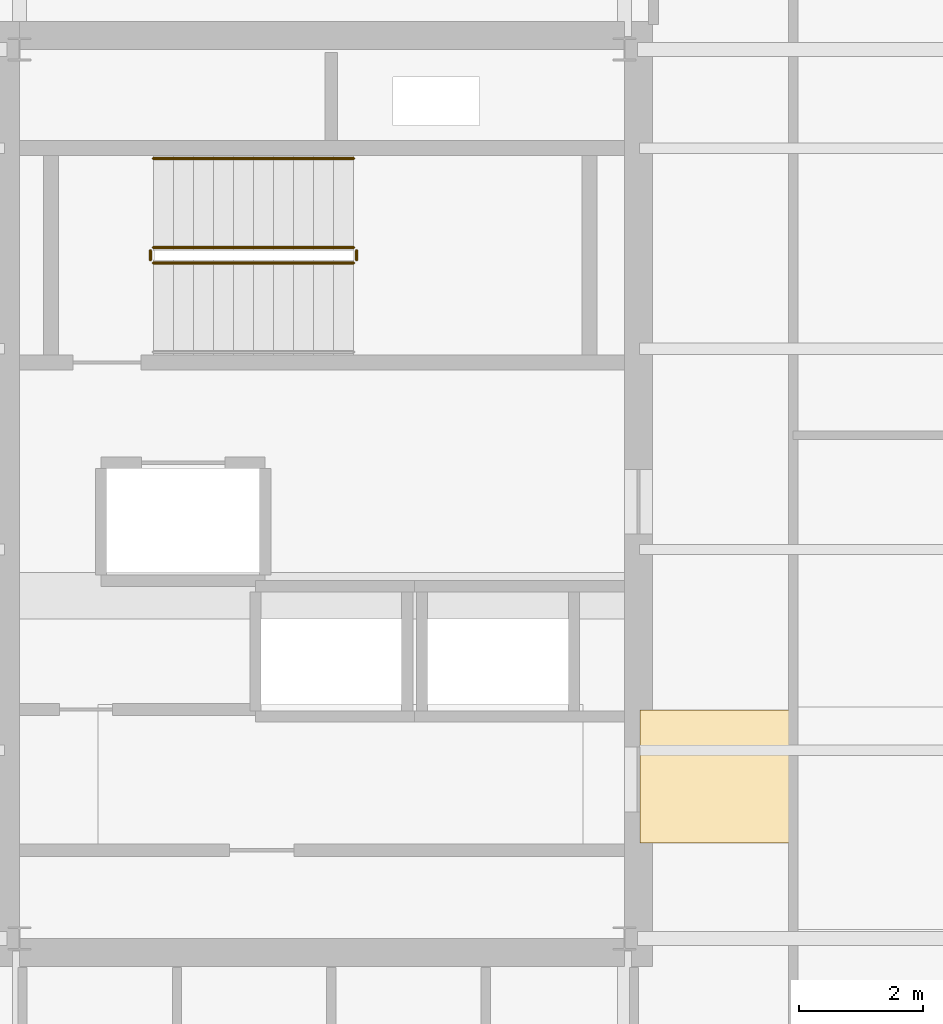
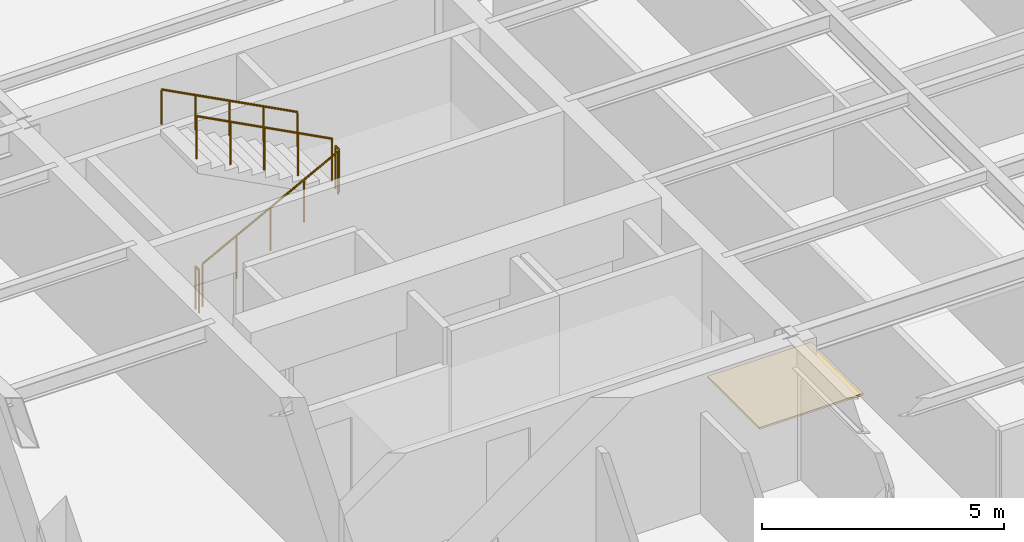
# One storey, part 12 of 15: 5 railings, 1 covering.
"""IFC4 building model written with IfcOpenShell, lengths in metres."""

from ifc_helpers import new_model, si_unit, direction, frame, origin, origin_2d, place, context, subcontext, project, spatial, polyline, circle, outline, extrude, material, layer, layer_set, type_object, element, save


model = new_model("IFC4")

# Units and contexts
model_context = context("Model", 3, precision=1e-05, world=origin(), true_north=direction((0.0, 1.0)))
body_context = subcontext(model_context, "Body", "Model", "MODEL_VIEW")
ifc_project = project(units=[si_unit("LENGTHUNIT", "METRE"), si_unit("AREAUNIT", "SQUARE_METRE"), si_unit("VOLUMEUNIT", "CUBIC_METRE"), si_unit("PLANEANGLEUNIT", "RADIAN"), si_unit("MASSUNIT", "GRAM", prefix="KILO")], contexts=[model_context])

# Site, building, storey
site_placement = place(None, origin())
site = spatial("IfcSite", under=ifc_project, at=site_placement, CompositionType="ELEMENT")
building_placement = place(site_placement, origin())
building = spatial("IfcBuilding", under=site, at=building_placement, Name="Kolvaren Arena Tower", CompositionType="ELEMENT")
storey_placement = place(building_placement, frame((0.0, 0.0, 304.89990234375)))
storey = spatial("IfcBuildingStorey", under=building, at=storey_placement, Name="L75", CompositionType="ELEMENT", Elevation=304.89990234375)

# Covering
ifc_material_1 = material(Name="Raised access office floor finish", Category="aluminium")
ifc_layer = layer(ifc_material_1, 0.044921875)
ifc_layer_set = layer_set([ifc_layer], Name="Raised access office floor finish")
covering_type = type_object("IfcCoveringType", Name="FLOR-RAF-1", PredefinedType="FLOORING", material=ifc_layer_set)
covering_placement = place(storey_placement, origin())
element("IfcCovering", 1, at=covering_placement, inside=storey, type_object=covering_type, Name="Floor Finish (L75)", PredefinedType="FLOORING", context=body_context, shape_type="SweptSolid", body=[
    extrude(outline(polyline([(24.60009765625, 21.0), (24.60009765625, 23.14990234375), (27.080078125, 23.14990234375), (27.080078125, 21.0), (24.60009765625, 21.0)])), origin(), (0.0, 0.0, 1.0), 0.045166015625),
])

# Railings
ifc_material_2 = material(Name="Painted galvanized steel", Category="steel")
railing_type_1 = type_object("IfcRailingType", Name="GUARD-ST-110", PredefinedType="GUARDRAIL", material=ifc_material_2)
railing_1_placement = place(storey_placement, frame((16.719970703125, 30.389892578125, 0.170654296875)))
element("IfcRailing", 2, at=railing_1_placement, inside=storey, type_object=railing_type_1, Name="L75 ST-W1 stair guard 1", PredefinedType="GUARDRAIL", context=body_context, shape_type="SweptSolid", body=[
    extrude(circle(Radius=0.02392578125, at=origin_2d()), frame((0.0, 0.0, 1.076171875), z_axis=(0.885020909582, 0.0, 0.465551274945), x_axis=(0.0, 1.0, 0.0)), (0.0, 0.0, 1.0), 3.660888671875),
    extrude(circle(Radius=0.02099609375, at=origin_2d()), origin(), (0.0, 0.0, 1.0), 1.052001953125),
    extrude(circle(Radius=0.02099609375, at=origin_2d()), frame((0.81005859375, 0.0, 0.426025390625)), (0.0, 0.0, 1.0), 1.052001953125),
    extrude(circle(Radius=0.02099609375, at=origin_2d()), frame((1.6201171875, 0.0, 0.85205078125)), (0.0, 0.0, 1.0), 1.052001953125),
    extrude(circle(Radius=0.02099609375, at=origin_2d()), frame((2.429931640625, 0.0, 1.2783203125)), (0.0, 0.0, 1.0), 1.052001953125),
    extrude(circle(Radius=0.02099609375, at=origin_2d()), frame((3.239990234375, 0.0, 1.704345703125)), (0.0, 0.0, 1.0), 1.052001953125),
])
railing_2_placement = place(storey_placement, frame((20.010009765625, 30.43994140625, 1.875)))
element("IfcRailing", 3, at=railing_2_placement, inside=storey, type_object=railing_type_1, Name="L75 ST-W1 stair guard 2", PredefinedType="GUARDRAIL", context=body_context, shape_type="SweptSolid", body=[
    extrude(circle(Radius=0.02392578125, at=origin_2d()), frame((0.0, 0.0, 1.076171875), z_axis=(0.0, 1.0, 0.0), x_axis=(-1.0, 0.0, 0.0)), (0.0, 0.0, 1.0), 0.150146484375),
    extrude(circle(Radius=0.02099609375, at=origin_2d()), origin(), (0.0, 0.0, 1.0), 1.052001953125),
    extrude(circle(Radius=0.02099609375, at=origin_2d()), frame((0.0, 0.150146484375, 0.0)), (0.0, 0.0, 1.0), 1.052001953125),
])
railing_3_placement = place(storey_placement, frame((19.9599609375, 30.639892578125, 2.045654296875)))
element("IfcRailing", 4, at=railing_3_placement, inside=storey, type_object=railing_type_1, Name="L75 ST-W1 stair guard 3", PredefinedType="GUARDRAIL", context=body_context, shape_type="SweptSolid", body=[
    extrude(circle(Radius=0.02392578125, at=origin_2d()), frame((0.0, 0.0, 1.076171875), z_axis=(-0.885020909582, 0.0, 0.465551274945), x_axis=(0.0, -1.0, 0.0)), (0.0, 0.0, 1.0), 3.660888671875),
    extrude(circle(Radius=0.02099609375, at=origin_2d()), origin(), (0.0, 0.0, 1.0), 1.052001953125),
    extrude(circle(Radius=0.02099609375, at=origin_2d()), frame((-0.81005859375, 0.0, 0.426025390625)), (0.0, 0.0, 1.0), 1.052001953125),
    extrude(circle(Radius=0.02099609375, at=origin_2d()), frame((-1.6201171875, 0.0, 0.85205078125)), (0.0, 0.0, 1.0), 1.052001953125),
    extrude(circle(Radius=0.02099609375, at=origin_2d()), frame((-2.429931640625, 0.0, 1.2783203125)), (0.0, 0.0, 1.0), 1.052001953125),
    extrude(circle(Radius=0.02099609375, at=origin_2d()), frame((-3.239990234375, 0.0, 1.704345703125)), (0.0, 0.0, 1.0), 1.052001953125),
])
railing_4_placement = place(storey_placement, frame((16.669921875, 30.43994140625, 0.0)))
element("IfcRailing", 5, at=railing_4_placement, inside=storey, type_object=railing_type_1, Name="L75 ST-W1 stair guard 4", PredefinedType="GUARDRAIL", context=body_context, shape_type="SweptSolid", body=[
    extrude(circle(Radius=0.02392578125, at=origin_2d()), frame((0.0, 0.0, 1.076171875), z_axis=(0.0, 1.0, 0.0), x_axis=(-1.0, 0.0, 0.0)), (0.0, 0.0, 1.0), 0.150146484375),
    extrude(circle(Radius=0.02099609375, at=origin_2d()), origin(), (0.0, 0.0, 1.0), 1.052001953125),
    extrude(circle(Radius=0.02099609375, at=origin_2d()), frame((0.0, 0.150146484375, 0.0)), (0.0, 0.0, 1.0), 1.052001953125),
])
ifc_material_3 = material(Name="Brushed stainless steel handrail", Category="steel")
railing_type_2 = type_object("IfcRailingType", Name="HRAIL-900", PredefinedType="HANDRAIL", material=ifc_material_3)
railing_5_placement = place(storey_placement, frame((19.9599609375, 32.080078125, 2.045654296875)))
element("IfcRailing", 6, at=railing_5_placement, inside=storey, type_object=railing_type_2, Name="L75 ST-W1 stair handrail 2", PredefinedType="HANDRAIL", context=body_context, shape_type="SweptSolid", body=[
    extrude(circle(Radius=0.02392578125, at=origin_2d()), frame((0.0, 0.0, 0.8759765625), z_axis=(-0.885020909582, 0.0, 0.465551274945), x_axis=(0.0, -1.0, 0.0)), (0.0, 0.0, 1.0), 3.660888671875),
    extrude(circle(Radius=0.02099609375, at=origin_2d()), origin(), (0.0, 0.0, 1.0), 0.851806640625),
    extrude(circle(Radius=0.02099609375, at=origin_2d()), frame((-0.81005859375, 0.0, 0.426025390625)), (0.0, 0.0, 1.0), 0.851806640625),
    extrude(circle(Radius=0.02099609375, at=origin_2d()), frame((-1.6201171875, 0.0, 0.85205078125)), (0.0, 0.0, 1.0), 0.851806640625),
    extrude(circle(Radius=0.02099609375, at=origin_2d()), frame((-2.429931640625, 0.0, 1.2783203125)), (0.0, 0.0, 1.0), 0.851806640625),
    extrude(circle(Radius=0.02099609375, at=origin_2d()), frame((-3.239990234375, 0.0, 1.704345703125)), (0.0, 0.0, 1.0), 0.851806640625),
])

save(model, "model.ifc")
